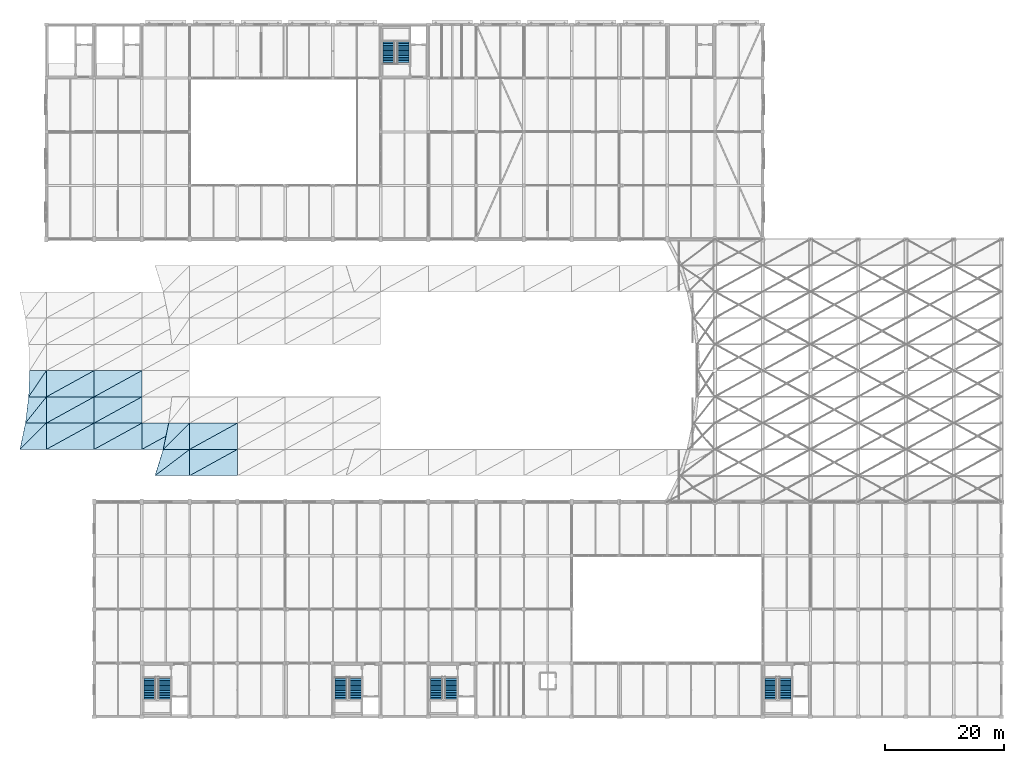
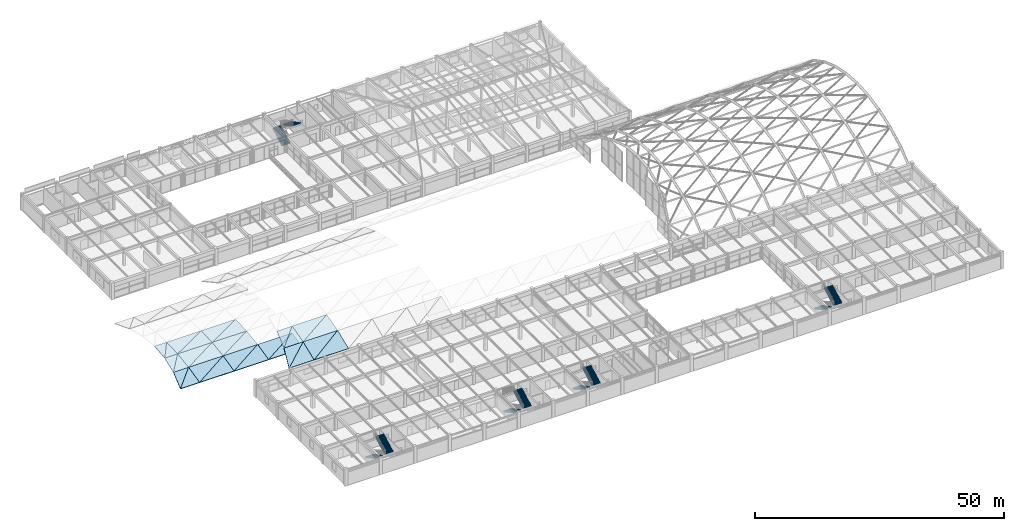
# One storey, part 104 of 126: 28 roofs, 10 stair flights, 5 elements without a shape of their own.
"""IFC4 building model written with IfcOpenShell, lengths in metres."""

from ifc_helpers import new_model, si_unit, direction, frame, origin, place, context, subcontext, project, spatial, polyline, outline, extrude, material, layer, layer_set, type_object, element, aggregate, save


model = new_model("IFC4")

# Units and contexts
model_context = context("Model", 3, precision=1e-05, world=origin(), true_north=direction((0.0, 1.0)))
body_context = subcontext(model_context, "Body", "Model", "MODEL_VIEW")
ifc_project = project(units=[si_unit("LENGTHUNIT", "METRE"), si_unit("AREAUNIT", "SQUARE_METRE"), si_unit("VOLUMEUNIT", "CUBIC_METRE"), si_unit("PLANEANGLEUNIT", "RADIAN"), si_unit("MASSUNIT", "GRAM", prefix="KILO")], contexts=[model_context])

# Site, building, storey
site_placement = place(None, origin())
site = spatial("IfcSite", under=ifc_project, at=site_placement, CompositionType="ELEMENT")
building_placement = place(site_placement, origin())
building = spatial("IfcBuilding", under=site, at=building_placement, Name="Varnabhumi Central Station", CompositionType="ELEMENT")
storey_placement = place(building_placement, frame((0.0, 0.0, 16.199951171875)))
storey = spatial("IfcBuildingStorey", under=building, at=storey_placement, Name="L03", CompositionType="ELEMENT", Elevation=16.199951171875)

# Stair, stair flights
ifc_material_1 = material(Name="Concrete M40", Category="concrete")
stair_type = type_object("IfcStairType", Name="STR-CORE-4200", PredefinedType="DOUBLE_RETURN_STAIR", material=ifc_material_1)
stair_1_placement = place(storey_placement, origin())
stair_1 = element("IfcStair", 1, at=stair_1_placement, inside=storey, type_object=stair_type, Name="Core Stair ST-N2 (L03)", PredefinedType="DOUBLE_RETURN_STAIR")
stair_flight_type = type_object("IfcStairFlightType", Name="FLT-CORE-1500", PredefinedType="STRAIGHT", material=ifc_material_1)
stair_flight_1_placement = place(storey_placement, frame((81.35009765625, 109.340087890625, 0.0), z_axis=(0.0, 0.0, 1.0), x_axis=(0.0, 1.0, 0.0)))
stair_flight_1 = element("IfcStairFlight", 2, at=stair_flight_1_placement, type_object=stair_flight_type, Name="ST-N2 L03 Lower Flight", NumberOfRisers=14, NumberOfTreads=13, PredefinedType="STRAIGHT", RiserHeight=0.15, TreadLength=0.285, context=body_context, shape_type="SweptSolid", body=[
    extrude(outline(polyline([(-0.06005859375, -0.080078125), (-0.06005859375, 0.0), (0.0, 0.0), (0.0, 0.14990234375), (0.284912109375, 0.14990234375), (0.284912109375, 0.300048828125), (0.570068359375, 0.300048828125), (0.570068359375, 0.449951171875), (0.85498046875, 0.449951171875), (0.85498046875, 0.60009765625), (1.139892578125, 0.60009765625), (1.139892578125, 0.75), (1.425048828125, 0.75), (1.425048828125, 0.89990234375), (1.7099609375, 0.89990234375), (1.7099609375, 1.050048828125), (1.9951171875, 1.050048828125), (1.9951171875, 1.199951171875), (2.280029296875, 1.199951171875), (2.280029296875, 1.35009765625), (2.56494140625, 1.35009765625), (2.56494140625, 1.5), (2.85009765625, 1.5), (2.85009765625, 1.64990234375), (3.135009765625, 1.64990234375), (3.135009765625, 1.800048828125), (3.419921875, 1.800048828125), (3.419921875, 1.949951171875), (3.705078125, 1.949951171875), (3.705078125, 2.10009765625), (3.764892578125, 2.10009765625), (3.764892578125, 1.940185546875), (3.705078125, 1.769287109375), (0.34326171875, -0.080078125), (-0.06005859375, -0.080078125)])), frame((0.0, 1.0, 0.0), z_axis=(0.0, -1.0, 0.0), x_axis=(1.0, 0.0, 0.0)), (0.0, 0.0, 1.0), 2.0),
])
stair_flight_2_placement = place(storey_placement, frame((83.75, 113.044921875, 2.10009765625), z_axis=(0.0, 0.0, 1.0), x_axis=(0.0, -1.0, 0.0)))
stair_flight_2 = element("IfcStairFlight", 3, at=stair_flight_2_placement, type_object=stair_flight_type, Name="ST-N2 L03 Upper Flight", NumberOfRisers=14, NumberOfTreads=13, PredefinedType="STRAIGHT", RiserHeight=0.15, TreadLength=0.285, context=body_context, shape_type="SweptSolid", body=[
    extrude(outline(polyline([(-0.06005859375, -0.080078125), (-0.06005859375, 0.0), (0.0, 0.0), (0.0, 0.14990234375), (0.284912109375, 0.14990234375), (0.284912109375, 0.300048828125), (0.570068359375, 0.300048828125), (0.570068359375, 0.449951171875), (0.85498046875, 0.449951171875), (0.85498046875, 0.60009765625), (1.139892578125, 0.60009765625), (1.139892578125, 0.75), (1.425048828125, 0.75), (1.425048828125, 0.89990234375), (1.7099609375, 0.89990234375), (1.7099609375, 1.050048828125), (1.9951171875, 1.050048828125), (1.9951171875, 1.199951171875), (2.280029296875, 1.199951171875), (2.280029296875, 1.35009765625), (2.56494140625, 1.35009765625), (2.56494140625, 1.5), (2.85009765625, 1.5), (2.85009765625, 1.64990234375), (3.135009765625, 1.64990234375), (3.135009765625, 1.800048828125), (3.419921875, 1.800048828125), (3.419921875, 1.949951171875), (3.705078125, 1.949951171875), (3.705078125, 2.10009765625), (3.764892578125, 2.10009765625), (3.764892578125, 1.940185546875), (3.705078125, 1.769287109375), (0.34326171875, -0.080078125), (-0.06005859375, -0.080078125)])), frame((0.0, 1.0, 0.0), z_axis=(0.0, -1.0, 0.0), x_axis=(1.0, 0.0, 0.0)), (0.0, 0.0, 1.0), 2.0),
])
aggregate(stair_1, [stair_flight_1, stair_flight_2])

stair_2_placement = place(storey_placement, origin())
stair_2 = element("IfcStair", 4, at=stair_2_placement, inside=storey, type_object=stair_type, Name="Core Stair ST-S1 (L03)", PredefinedType="DOUBLE_RETURN_STAIR")
stair_flight_3_placement = place(storey_placement, frame((41.35009765625, 6.659912109375, 0.0), z_axis=(0.0, 0.0, 1.0), x_axis=(0.0, -1.0, 0.0)))
stair_flight_3 = element("IfcStairFlight", 5, at=stair_flight_3_placement, type_object=stair_flight_type, Name="ST-S1 L03 Lower Flight", NumberOfRisers=14, NumberOfTreads=13, PredefinedType="STRAIGHT", RiserHeight=0.15, TreadLength=0.285, context=body_context, shape_type="SweptSolid", body=[
    extrude(outline(polyline([(-0.06005859375, -0.080078125), (-0.06005859375, 0.0), (0.0, 0.0), (0.0, 0.14990234375), (0.284912109375, 0.14990234375), (0.284912109375, 0.300048828125), (0.570068359375, 0.300048828125), (0.570068359375, 0.449951171875), (0.85498046875, 0.449951171875), (0.85498046875, 0.60009765625), (1.139892578125, 0.60009765625), (1.139892578125, 0.75), (1.425048828125, 0.75), (1.425048828125, 0.89990234375), (1.7099609375, 0.89990234375), (1.7099609375, 1.050048828125), (1.9951171875, 1.050048828125), (1.9951171875, 1.199951171875), (2.280029296875, 1.199951171875), (2.280029296875, 1.35009765625), (2.56494140625, 1.35009765625), (2.56494140625, 1.5), (2.85009765625, 1.5), (2.85009765625, 1.64990234375), (3.135009765625, 1.64990234375), (3.135009765625, 1.800048828125), (3.419921875, 1.800048828125), (3.419921875, 1.949951171875), (3.705078125, 1.949951171875), (3.705078125, 2.10009765625), (3.764892578125, 2.10009765625), (3.764892578125, 1.940185546875), (3.705078125, 1.769287109375), (0.34326171875, -0.080078125), (-0.06005859375, -0.080078125)])), frame((0.0, 1.0, 0.0), z_axis=(0.0, -1.0, 0.0), x_axis=(1.0, 0.0, 0.0)), (0.0, 0.0, 1.0), 2.0),
])
stair_flight_4_placement = place(storey_placement, frame((43.75, 2.955078125, 2.10009765625), z_axis=(0.0, 0.0, 1.0), x_axis=(0.0, 1.0, 0.0)))
stair_flight_4 = element("IfcStairFlight", 6, at=stair_flight_4_placement, type_object=stair_flight_type, Name="ST-S1 L03 Upper Flight", NumberOfRisers=14, NumberOfTreads=13, PredefinedType="STRAIGHT", RiserHeight=0.15, TreadLength=0.285, context=body_context, shape_type="SweptSolid", body=[
    extrude(outline(polyline([(-0.06005859375, -0.080078125), (-0.06005859375, 0.0), (0.0, 0.0), (0.0, 0.14990234375), (0.284912109375, 0.14990234375), (0.284912109375, 0.300048828125), (0.570068359375, 0.300048828125), (0.570068359375, 0.449951171875), (0.85498046875, 0.449951171875), (0.85498046875, 0.60009765625), (1.139892578125, 0.60009765625), (1.139892578125, 0.75), (1.425048828125, 0.75), (1.425048828125, 0.89990234375), (1.7099609375, 0.89990234375), (1.7099609375, 1.050048828125), (1.9951171875, 1.050048828125), (1.9951171875, 1.199951171875), (2.280029296875, 1.199951171875), (2.280029296875, 1.35009765625), (2.56494140625, 1.35009765625), (2.56494140625, 1.5), (2.85009765625, 1.5), (2.85009765625, 1.64990234375), (3.135009765625, 1.64990234375), (3.135009765625, 1.800048828125), (3.419921875, 1.800048828125), (3.419921875, 1.949951171875), (3.705078125, 1.949951171875), (3.705078125, 2.10009765625), (3.764892578125, 2.10009765625), (3.764892578125, 1.940185546875), (3.705078125, 1.769287109375), (0.34326171875, -0.080078125), (-0.06005859375, -0.080078125)])), frame((0.0, 1.0, 0.0), z_axis=(0.0, -1.0, 0.0), x_axis=(1.0, 0.0, 0.0)), (0.0, 0.0, 1.0), 2.0),
])
aggregate(stair_2, [stair_flight_3, stair_flight_4])

stair_3_placement = place(storey_placement, origin())
stair_3 = element("IfcStair", 7, at=stair_3_placement, inside=storey, type_object=stair_type, Name="Core Stair ST-S2 (L03)", PredefinedType="DOUBLE_RETURN_STAIR")
stair_flight_5_placement = place(storey_placement, frame((89.35009765625, 6.659912109375, 0.0), z_axis=(0.0, 0.0, 1.0), x_axis=(0.0, -1.0, 0.0)))
stair_flight_5 = element("IfcStairFlight", 8, at=stair_flight_5_placement, type_object=stair_flight_type, Name="ST-S2 L03 Lower Flight", NumberOfRisers=14, NumberOfTreads=13, PredefinedType="STRAIGHT", RiserHeight=0.15, TreadLength=0.285, context=body_context, shape_type="SweptSolid", body=[
    extrude(outline(polyline([(-0.06005859375, -0.080078125), (-0.06005859375, 0.0), (0.0, 0.0), (0.0, 0.14990234375), (0.284912109375, 0.14990234375), (0.284912109375, 0.300048828125), (0.570068359375, 0.300048828125), (0.570068359375, 0.449951171875), (0.85498046875, 0.449951171875), (0.85498046875, 0.60009765625), (1.139892578125, 0.60009765625), (1.139892578125, 0.75), (1.425048828125, 0.75), (1.425048828125, 0.89990234375), (1.7099609375, 0.89990234375), (1.7099609375, 1.050048828125), (1.9951171875, 1.050048828125), (1.9951171875, 1.199951171875), (2.280029296875, 1.199951171875), (2.280029296875, 1.35009765625), (2.56494140625, 1.35009765625), (2.56494140625, 1.5), (2.85009765625, 1.5), (2.85009765625, 1.64990234375), (3.135009765625, 1.64990234375), (3.135009765625, 1.800048828125), (3.419921875, 1.800048828125), (3.419921875, 1.949951171875), (3.705078125, 1.949951171875), (3.705078125, 2.10009765625), (3.764892578125, 2.10009765625), (3.764892578125, 1.940185546875), (3.705078125, 1.769287109375), (0.34326171875, -0.080078125), (-0.06005859375, -0.080078125)])), frame((0.0, 1.0, 0.0), z_axis=(0.0, -1.0, 0.0), x_axis=(1.0, 0.0, 0.0)), (0.0, 0.0, 1.0), 2.0),
])
stair_flight_6_placement = place(storey_placement, frame((91.75, 2.955078125, 2.10009765625), z_axis=(0.0, 0.0, 1.0), x_axis=(0.0, 1.0, 0.0)))
stair_flight_6 = element("IfcStairFlight", 9, at=stair_flight_6_placement, type_object=stair_flight_type, Name="ST-S2 L03 Upper Flight", NumberOfRisers=14, NumberOfTreads=13, PredefinedType="STRAIGHT", RiserHeight=0.15, TreadLength=0.285, context=body_context, shape_type="SweptSolid", body=[
    extrude(outline(polyline([(-0.06005859375, -0.080078125), (-0.06005859375, 0.0), (0.0, 0.0), (0.0, 0.14990234375), (0.284912109375, 0.14990234375), (0.284912109375, 0.300048828125), (0.570068359375, 0.300048828125), (0.570068359375, 0.449951171875), (0.85498046875, 0.449951171875), (0.85498046875, 0.60009765625), (1.139892578125, 0.60009765625), (1.139892578125, 0.75), (1.425048828125, 0.75), (1.425048828125, 0.89990234375), (1.7099609375, 0.89990234375), (1.7099609375, 1.050048828125), (1.9951171875, 1.050048828125), (1.9951171875, 1.199951171875), (2.280029296875, 1.199951171875), (2.280029296875, 1.35009765625), (2.56494140625, 1.35009765625), (2.56494140625, 1.5), (2.85009765625, 1.5), (2.85009765625, 1.64990234375), (3.135009765625, 1.64990234375), (3.135009765625, 1.800048828125), (3.419921875, 1.800048828125), (3.419921875, 1.949951171875), (3.705078125, 1.949951171875), (3.705078125, 2.10009765625), (3.764892578125, 2.10009765625), (3.764892578125, 1.940185546875), (3.705078125, 1.769287109375), (0.34326171875, -0.080078125), (-0.06005859375, -0.080078125)])), frame((0.0, 1.0, 0.0), z_axis=(0.0, -1.0, 0.0), x_axis=(1.0, 0.0, 0.0)), (0.0, 0.0, 1.0), 2.0),
])
aggregate(stair_3, [stair_flight_5, stair_flight_6])

stair_4_placement = place(storey_placement, origin())
stair_4 = element("IfcStair", 10, at=stair_4_placement, inside=storey, type_object=stair_type, Name="Core Stair ST-S3 (L03)", PredefinedType="DOUBLE_RETURN_STAIR")
stair_flight_7_placement = place(storey_placement, frame((145.35009765625, 6.659912109375, 0.0), z_axis=(0.0, 0.0, 1.0), x_axis=(0.0, -1.0, 0.0)))
stair_flight_7 = element("IfcStairFlight", 11, at=stair_flight_7_placement, type_object=stair_flight_type, Name="ST-S3 L03 Lower Flight", NumberOfRisers=14, NumberOfTreads=13, PredefinedType="STRAIGHT", RiserHeight=0.15, TreadLength=0.285, context=body_context, shape_type="SweptSolid", body=[
    extrude(outline(polyline([(-0.06005859375, -0.080078125), (-0.06005859375, 0.0), (0.0, 0.0), (0.0, 0.14990234375), (0.284912109375, 0.14990234375), (0.284912109375, 0.300048828125), (0.570068359375, 0.300048828125), (0.570068359375, 0.449951171875), (0.85498046875, 0.449951171875), (0.85498046875, 0.60009765625), (1.139892578125, 0.60009765625), (1.139892578125, 0.75), (1.425048828125, 0.75), (1.425048828125, 0.89990234375), (1.7099609375, 0.89990234375), (1.7099609375, 1.050048828125), (1.9951171875, 1.050048828125), (1.9951171875, 1.199951171875), (2.280029296875, 1.199951171875), (2.280029296875, 1.35009765625), (2.56494140625, 1.35009765625), (2.56494140625, 1.5), (2.85009765625, 1.5), (2.85009765625, 1.64990234375), (3.135009765625, 1.64990234375), (3.135009765625, 1.800048828125), (3.419921875, 1.800048828125), (3.419921875, 1.949951171875), (3.705078125, 1.949951171875), (3.705078125, 2.10009765625), (3.764892578125, 2.10009765625), (3.764892578125, 1.940185546875), (3.705078125, 1.769287109375), (0.34326171875, -0.080078125), (-0.06005859375, -0.080078125)])), frame((0.0, 1.0, 0.0), z_axis=(0.0, -1.0, 0.0), x_axis=(1.0, 0.0, 0.0)), (0.0, 0.0, 1.0), 2.0),
])
stair_flight_8_placement = place(storey_placement, frame((147.75, 2.955078125, 2.10009765625), z_axis=(0.0, 0.0, 1.0), x_axis=(0.0, 1.0, 0.0)))
stair_flight_8 = element("IfcStairFlight", 12, at=stair_flight_8_placement, type_object=stair_flight_type, Name="ST-S3 L03 Upper Flight", NumberOfRisers=14, NumberOfTreads=13, PredefinedType="STRAIGHT", RiserHeight=0.15, TreadLength=0.285, context=body_context, shape_type="SweptSolid", body=[
    extrude(outline(polyline([(-0.06005859375, -0.080078125), (-0.06005859375, 0.0), (0.0, 0.0), (0.0, 0.14990234375), (0.284912109375, 0.14990234375), (0.284912109375, 0.300048828125), (0.570068359375, 0.300048828125), (0.570068359375, 0.449951171875), (0.85498046875, 0.449951171875), (0.85498046875, 0.60009765625), (1.139892578125, 0.60009765625), (1.139892578125, 0.75), (1.425048828125, 0.75), (1.425048828125, 0.89990234375), (1.7099609375, 0.89990234375), (1.7099609375, 1.050048828125), (1.9951171875, 1.050048828125), (1.9951171875, 1.199951171875), (2.280029296875, 1.199951171875), (2.280029296875, 1.35009765625), (2.56494140625, 1.35009765625), (2.56494140625, 1.5), (2.85009765625, 1.5), (2.85009765625, 1.64990234375), (3.135009765625, 1.64990234375), (3.135009765625, 1.800048828125), (3.419921875, 1.800048828125), (3.419921875, 1.949951171875), (3.705078125, 1.949951171875), (3.705078125, 2.10009765625), (3.764892578125, 2.10009765625), (3.764892578125, 1.940185546875), (3.705078125, 1.769287109375), (0.34326171875, -0.080078125), (-0.06005859375, -0.080078125)])), frame((0.0, 1.0, 0.0), z_axis=(0.0, -1.0, 0.0), x_axis=(1.0, 0.0, 0.0)), (0.0, 0.0, 1.0), 2.0),
])
aggregate(stair_4, [stair_flight_7, stair_flight_8])

stair_5_placement = place(storey_placement, origin())
stair_5 = element("IfcStair", 13, at=stair_5_placement, inside=storey, type_object=stair_type, Name="Core Stair ST-S4 (L03)", PredefinedType="DOUBLE_RETURN_STAIR")
stair_flight_9_placement = place(storey_placement, frame((73.35009765625, 6.659912109375, 0.0), z_axis=(0.0, 0.0, 1.0), x_axis=(0.0, -1.0, 0.0)))
stair_flight_9 = element("IfcStairFlight", 14, at=stair_flight_9_placement, type_object=stair_flight_type, Name="ST-S4 L03 Lower Flight", NumberOfRisers=14, NumberOfTreads=13, PredefinedType="STRAIGHT", RiserHeight=0.15, TreadLength=0.285, context=body_context, shape_type="SweptSolid", body=[
    extrude(outline(polyline([(-0.06005859375, -0.080078125), (-0.06005859375, 0.0), (0.0, 0.0), (0.0, 0.14990234375), (0.284912109375, 0.14990234375), (0.284912109375, 0.300048828125), (0.570068359375, 0.300048828125), (0.570068359375, 0.449951171875), (0.85498046875, 0.449951171875), (0.85498046875, 0.60009765625), (1.139892578125, 0.60009765625), (1.139892578125, 0.75), (1.425048828125, 0.75), (1.425048828125, 0.89990234375), (1.7099609375, 0.89990234375), (1.7099609375, 1.050048828125), (1.9951171875, 1.050048828125), (1.9951171875, 1.199951171875), (2.280029296875, 1.199951171875), (2.280029296875, 1.35009765625), (2.56494140625, 1.35009765625), (2.56494140625, 1.5), (2.85009765625, 1.5), (2.85009765625, 1.64990234375), (3.135009765625, 1.64990234375), (3.135009765625, 1.800048828125), (3.419921875, 1.800048828125), (3.419921875, 1.949951171875), (3.705078125, 1.949951171875), (3.705078125, 2.10009765625), (3.764892578125, 2.10009765625), (3.764892578125, 1.940185546875), (3.705078125, 1.769287109375), (0.34326171875, -0.080078125), (-0.06005859375, -0.080078125)])), frame((0.0, 1.0, 0.0), z_axis=(0.0, -1.0, 0.0), x_axis=(1.0, 0.0, 0.0)), (0.0, 0.0, 1.0), 2.0),
])
stair_flight_10_placement = place(storey_placement, frame((75.75, 2.955078125, 2.10009765625), z_axis=(0.0, 0.0, 1.0), x_axis=(0.0, 1.0, 0.0)))
stair_flight_10 = element("IfcStairFlight", 15, at=stair_flight_10_placement, type_object=stair_flight_type, Name="ST-S4 L03 Upper Flight", NumberOfRisers=14, NumberOfTreads=13, PredefinedType="STRAIGHT", RiserHeight=0.15, TreadLength=0.285, context=body_context, shape_type="SweptSolid", body=[
    extrude(outline(polyline([(-0.06005859375, -0.080078125), (-0.06005859375, 0.0), (0.0, 0.0), (0.0, 0.14990234375), (0.284912109375, 0.14990234375), (0.284912109375, 0.300048828125), (0.570068359375, 0.300048828125), (0.570068359375, 0.449951171875), (0.85498046875, 0.449951171875), (0.85498046875, 0.60009765625), (1.139892578125, 0.60009765625), (1.139892578125, 0.75), (1.425048828125, 0.75), (1.425048828125, 0.89990234375), (1.7099609375, 0.89990234375), (1.7099609375, 1.050048828125), (1.9951171875, 1.050048828125), (1.9951171875, 1.199951171875), (2.280029296875, 1.199951171875), (2.280029296875, 1.35009765625), (2.56494140625, 1.35009765625), (2.56494140625, 1.5), (2.85009765625, 1.5), (2.85009765625, 1.64990234375), (3.135009765625, 1.64990234375), (3.135009765625, 1.800048828125), (3.419921875, 1.800048828125), (3.419921875, 1.949951171875), (3.705078125, 1.949951171875), (3.705078125, 2.10009765625), (3.764892578125, 2.10009765625), (3.764892578125, 1.940185546875), (3.705078125, 1.769287109375), (0.34326171875, -0.080078125), (-0.06005859375, -0.080078125)])), frame((0.0, 1.0, 0.0), z_axis=(0.0, -1.0, 0.0), x_axis=(1.0, 0.0, 0.0)), (0.0, 0.0, 1.0), 2.0),
])
aggregate(stair_5, [stair_flight_9, stair_flight_10])

# Roofs
ifc_material_2 = material(Name="Champagne bronze diamond metal panel")
ifc_layer = layer(ifc_material_2, 0.159912109375, Name="Champagne bronze diamond metal panel")
ifc_layer_set = layer_set([ifc_layer], Name="Champagne bronze diamond metal panel")
roof_type = type_object("IfcRoofType", Name="ROOF-VAULT-BARREL", PredefinedType="BARREL_ROOF", material=ifc_layer_set)
roof_1_placement = place(storey_placement, frame((19.577392578125, 44.800048828125, 0.879150390625), z_axis=(0.0, -0.2331035559, 0.972451917694), x_axis=(1.0, 0.0, 0.0)))
element("IfcRoof", 16, at=roof_1_placement, inside=storey, type_object=roof_type, Name="Entrance Portico Vault Diamond Shell Panel 1-3A", PredefinedType="BARREL_ROOF", context=body_context, shape_type="SweptSolid", body=[
    extrude(outline(polyline([(0.0, 0.0), (4.422607421875, 0.0), (4.422607421875, 4.524544878459379), (0.0, 0.0)])), origin(), (0.0, 0.0, -1.0), 0.159912109375),
])
roof_2_placement = place(storey_placement, frame((19.577392578125, 44.800048828125, 0.879150390625), z_axis=(0.0, -0.2331035559, 0.972451917694), x_axis=(0.699005145676, 0.695416546253, 0.166696231262)))
element("IfcRoof", 17, at=roof_2_placement, inside=storey, type_object=roof_type, Name="Entrance Portico Vault Diamond Shell Panel 1-3B", PredefinedType="BARREL_ROOF", context=body_context, shape_type="SweptSolid", body=[
    extrude(outline(polyline([(0.0, 0.0), (6.327002668342795, 2.7755575615628914e-17), (3.8745117141180976, 2.5090188497221164), (0.0, 0.0)])), origin(), (0.0, 0.0, -1.0), 0.159912109375),
])
roof_3_placement = place(storey_placement, frame((20.491455078125, 49.199951171875, 1.930908203125), z_axis=(0.0, -0.138420407303, 0.99037356126), x_axis=(1.0, 0.0, 0.0)))
element("IfcRoof", 18, at=roof_3_placement, inside=storey, type_object=roof_type, Name="Entrance Portico Vault Diamond Shell Panel 1-4A", PredefinedType="BARREL_ROOF", context=body_context, shape_type="SweptSolid", body=[
    extrude(outline(polyline([(0.0, 0.0), (3.508544921875, 0.0), (3.508544921875, 4.442915942524041), (0.0, 0.0)])), origin(), (0.0, 0.0, -1.0), 0.159912109375),
])
roof_4_placement = place(storey_placement, frame((20.491455078125, 49.199951171875, 1.930908203125), z_axis=(0.0, -0.138420407303, 0.99037356126), x_axis=(0.619750892049, 0.777243777566, 0.108632140914)))
element("IfcRoof", 19, at=roof_4_placement, inside=storey, type_object=roof_type, Name="Entrance Portico Vault Diamond Shell Panel 1-4B", PredefinedType="BARREL_ROOF", context=body_context, shape_type="SweptSolid", body=[
    extrude(outline(polyline([(0.0, 0.0), (5.661218026286318, 1.457167719820518e-16), (3.8170959871521393, 2.335235657535949), (0.0, 0.0)])), origin(), (0.0, 0.0, -1.0), 0.159912109375),
])
roof_5_placement = place(storey_placement, frame((21.0244140625, 53.60009765625, 2.54443359375), z_axis=(0.0, -0.046006057233, 0.998941160779), x_axis=(1.0, 0.0, 0.0)))
element("IfcRoof", 20, at=roof_5_placement, inside=storey, type_object=roof_type, Name="Entrance Portico Vault Diamond Shell Panel 1-5A", PredefinedType="BARREL_ROOF", context=body_context, shape_type="SweptSolid", body=[
    extrude(outline(polyline([(0.0, 0.0), (2.9755859375, 0.0), (2.9755859375, 4.4045660710588175), (0.0, 0.0)])), origin(), (0.0, 0.0, -1.0), 0.159912109375),
])
roof_6_placement = place(storey_placement, frame((21.0244140625, 53.60009765625, 2.54443359375), z_axis=(0.0, -0.046006057233, 0.998941160779), x_axis=(0.559796416898, 0.827752791708, 0.038122007386)))
element("IfcRoof", 21, at=roof_6_placement, inside=storey, type_object=roof_type, Name="Entrance Portico Vault Diamond Shell Panel 1-5B", PredefinedType="BARREL_ROOF", context=body_context, shape_type="SweptSolid", body=[
    extrude(outline(polyline([(0.0, 0.0), (5.315478712756761, -3.0704605524789486e-16), (3.748021411632324, 2.320204958411192), (0.0, 0.0)])), origin(), (0.0, 0.0, -1.0), 0.159912109375),
])
roof_7_placement = place(storey_placement, frame((24.0, 44.800048828125, 0.879150390625), z_axis=(0.0, -0.2331035559, 0.972451917694), x_axis=(1.0, 0.0, 0.0)))
element("IfcRoof", 22, at=roof_7_placement, inside=storey, type_object=roof_type, Name="Entrance Portico Vault Diamond Shell Panel 2-3A", PredefinedType="BARREL_ROOF", context=body_context, shape_type="SweptSolid", body=[
    extrude(outline(polyline([(0.0, 0.0), (8.0, 0.0), (8.0, 4.524544878459379), (0.0, 0.0)])), origin(), (0.0, 0.0, -1.0), 0.159912109375),
])
roof_8_placement = place(storey_placement, frame((24.0, 44.800048828125, 0.879150390625), z_axis=(0.0, -0.2331035559, 0.972451917694), x_axis=(0.870432037619, 0.478726995299, 0.114754223709)))
element("IfcRoof", 23, at=roof_8_placement, inside=storey, type_object=roof_type, Name="Entrance Portico Vault Diamond Shell Panel 2-3B", PredefinedType="BARREL_ROOF", context=body_context, shape_type="SweptSolid", body=[
    extrude(outline(polyline([(0.0, 0.0), (9.190838174899664, -4.718447854656915e-16), (2.2273818739515, 3.9383088178538386), (0.0, 0.0)])), origin(), (0.0, 0.0, -1.0), 0.159912109375),
])
roof_9_placement = place(storey_placement, frame((24.0, 49.199951171875, 1.930908203125), z_axis=(0.0, -0.138420407303, 0.99037356126), x_axis=(1.0, 0.0, 0.0)))
element("IfcRoof", 24, at=roof_9_placement, inside=storey, type_object=roof_type, Name="Entrance Portico Vault Diamond Shell Panel 2-4A", PredefinedType="BARREL_ROOF", context=body_context, shape_type="SweptSolid", body=[
    extrude(outline(polyline([(0.0, 0.0), (8.0, 0.0), (8.0, 4.442915942524041), (0.0, 0.0)])), origin(), (0.0, 0.0, -1.0), 0.159912109375),
])
roof_10_placement = place(storey_placement, frame((24.0, 49.199951171875, 1.930908203125), z_axis=(0.0, -0.138420407303, 0.99037356126), x_axis=(0.874228176797, 0.480841504835, 0.067205223918)))
element("IfcRoof", 25, at=roof_10_placement, inside=storey, type_object=roof_type, Name="Entrance Portico Vault Diamond Shell Panel 2-4B", PredefinedType="BARREL_ROOF", context=body_context, shape_type="SweptSolid", body=[
    extrude(outline(polyline([(0.0, 0.0), (9.15092902782741, -1.8041124150158794e-16), (2.157103613448174, 3.8841223040969144), (0.0, 0.0)])), origin(), (0.0, 0.0, -1.0), 0.159912109375),
])
roof_11_placement = place(storey_placement, frame((24.0, 53.60009765625, 2.54443359375), z_axis=(0.0, -0.046006057233, 0.998941160779), x_axis=(1.0, 0.0, 0.0)))
element("IfcRoof", 26, at=roof_11_placement, inside=storey, type_object=roof_type, Name="Entrance Portico Vault Diamond Shell Panel 2-5A", PredefinedType="BARREL_ROOF", context=body_context, shape_type="SweptSolid", body=[
    extrude(outline(polyline([(0.0, 0.0), (8.0, 0.0), (8.0, 4.404566071058818), (0.0, 0.0)])), origin(), (0.0, 0.0, -1.0), 0.159912109375),
])
roof_12_placement = place(storey_placement, frame((24.0, 53.60009765625, 2.54443359375), z_axis=(0.0, -0.046006057233, 0.998941160779), x_axis=(0.876004697448, 0.48179189018, 0.022188839688)))
element("IfcRoof", 27, at=roof_12_placement, inside=storey, type_object=roof_type, Name="Entrance Portico Vault Diamond Shell Panel 2-5B", PredefinedType="BARREL_ROOF", context=body_context, shape_type="SweptSolid", body=[
    extrude(outline(polyline([(0.0, 0.0), (9.132371120049957, 2.2551405187698492e-17), (2.124333540467898, 3.8584205684665376), (0.0, 0.0)])), origin(), (0.0, 0.0, -1.0), 0.159912109375),
])
roof_13_placement = place(storey_placement, frame((32.0, 44.800048828125, 0.879150390625), z_axis=(0.0, -0.2331035559, 0.972451917694), x_axis=(1.0, 0.0, 0.0)))
element("IfcRoof", 28, at=roof_13_placement, inside=storey, type_object=roof_type, Name="Entrance Portico Vault Diamond Shell Panel 3-3A", PredefinedType="BARREL_ROOF", context=body_context, shape_type="SweptSolid", body=[
    extrude(outline(polyline([(0.0, 0.0), (8.0, 0.0), (8.0, 4.524544878459379), (0.0, 0.0)])), origin(), (0.0, 0.0, -1.0), 0.159912109375),
])
roof_14_placement = place(storey_placement, frame((32.0, 44.800048828125, 0.879150390625), z_axis=(0.0, -0.2331035559, 0.972451917694), x_axis=(0.870432037619, 0.478726995299, 0.114754223709)))
element("IfcRoof", 29, at=roof_14_placement, inside=storey, type_object=roof_type, Name="Entrance Portico Vault Diamond Shell Panel 3-3B", PredefinedType="BARREL_ROOF", context=body_context, shape_type="SweptSolid", body=[
    extrude(outline(polyline([(0.0, 0.0), (9.190838174899664, -4.718447854656915e-16), (2.2273818739515, 3.9383088178538386), (0.0, 0.0)])), origin(), (0.0, 0.0, -1.0), 0.159912109375),
])
roof_15_placement = place(storey_placement, frame((32.0, 49.199951171875, 1.930908203125), z_axis=(0.0, -0.138420407303, 0.99037356126), x_axis=(1.0, 0.0, 0.0)))
element("IfcRoof", 30, at=roof_15_placement, inside=storey, type_object=roof_type, Name="Entrance Portico Vault Diamond Shell Panel 3-4A", PredefinedType="BARREL_ROOF", context=body_context, shape_type="SweptSolid", body=[
    extrude(outline(polyline([(0.0, 0.0), (8.0, 0.0), (8.0, 4.442915942524041), (0.0, 0.0)])), origin(), (0.0, 0.0, -1.0), 0.159912109375),
])
roof_16_placement = place(storey_placement, frame((32.0, 49.199951171875, 1.930908203125), z_axis=(0.0, -0.138420407303, 0.99037356126), x_axis=(0.874228176797, 0.480841504835, 0.067205223918)))
element("IfcRoof", 31, at=roof_16_placement, inside=storey, type_object=roof_type, Name="Entrance Portico Vault Diamond Shell Panel 3-4B", PredefinedType="BARREL_ROOF", context=body_context, shape_type="SweptSolid", body=[
    extrude(outline(polyline([(0.0, 0.0), (9.15092902782741, -1.8041124150158794e-16), (2.157103613448174, 3.8841223040969144), (0.0, 0.0)])), origin(), (0.0, 0.0, -1.0), 0.159912109375),
])
roof_17_placement = place(storey_placement, frame((32.0, 53.60009765625, 2.54443359375), z_axis=(0.0, -0.046006057233, 0.998941160779), x_axis=(1.0, 0.0, 0.0)))
element("IfcRoof", 32, at=roof_17_placement, inside=storey, type_object=roof_type, Name="Entrance Portico Vault Diamond Shell Panel 3-5A", PredefinedType="BARREL_ROOF", context=body_context, shape_type="SweptSolid", body=[
    extrude(outline(polyline([(0.0, 0.0), (8.0, 0.0), (8.0, 4.404566071058818), (0.0, 0.0)])), origin(), (0.0, 0.0, -1.0), 0.159912109375),
])
roof_18_placement = place(storey_placement, frame((32.0, 53.60009765625, 2.54443359375), z_axis=(0.0, -0.046006057233, 0.998941160779), x_axis=(0.876004697448, 0.48179189018, 0.022188839688)))
element("IfcRoof", 33, at=roof_18_placement, inside=storey, type_object=roof_type, Name="Entrance Portico Vault Diamond Shell Panel 3-5B", PredefinedType="BARREL_ROOF", context=body_context, shape_type="SweptSolid", body=[
    extrude(outline(polyline([(0.0, 0.0), (9.132371120049957, 2.2551405187698492e-17), (2.124333540467898, 3.8584205684665376), (0.0, 0.0)])), origin(), (0.0, 0.0, -1.0), 0.159912109375),
])
roof_19_placement = place(storey_placement, frame((40.0, 44.800048828125, 0.879150390625), z_axis=(0.0, -0.2331035559, 0.972451917694), x_axis=(1.0, 0.0, 0.0)))
element("IfcRoof", 34, at=roof_19_placement, inside=storey, type_object=roof_type, Name="Entrance Portico Vault Diamond Shell Panel 4-3A", PredefinedType="BARREL_ROOF", context=body_context, shape_type="SweptSolid", body=[
    extrude(outline(polyline([(0.0, 0.0), (8.0, 0.0), (8.0, 4.524544878459379), (0.0, 0.0)])), origin(), (0.0, 0.0, -1.0), 0.159912109375),
])
roof_20_placement = place(storey_placement, frame((40.0, 44.800048828125, 0.879150390625), z_axis=(0.0, -0.2331035559, 0.972451917694), x_axis=(0.870432037619, 0.478726995299, 0.114754223709)))
element("IfcRoof", 35, at=roof_20_placement, inside=storey, type_object=roof_type, Name="Entrance Portico Vault Diamond Shell Panel 4-3B", PredefinedType="BARREL_ROOF", context=body_context, shape_type="SweptSolid", body=[
    extrude(outline(polyline([(0.0, 0.0), (9.190838174899664, -4.718447854656915e-16), (2.2273818739515, 3.9383088178538386), (0.0, 0.0)])), origin(), (0.0, 0.0, -1.0), 0.159912109375),
])
roof_21_placement = place(storey_placement, frame((42.2138671875, 40.39990234375, 0.6552734375), z_axis=(0.0, -0.37554515505, 0.926804098242), x_axis=(1.0, 0.0, 0.0)))
element("IfcRoof", 36, at=roof_21_placement, inside=storey, type_object=roof_type, Name="Ticket Hall Vault Diamond Shell Panel 1-2A", PredefinedType="BARREL_ROOF", context=body_context, shape_type="SweptSolid", body=[
    extrude(outline(polyline([(0.0, 0.0), (5.7861328125, 0.0), (5.7861328125, 4.747655402819502), (0.0, 0.0)])), origin(), (0.0, 0.0, -1.0), 0.159912109375),
])
roof_22_placement = place(storey_placement, frame((42.2138671875, 40.39990234375, 0.6552734375), z_axis=(0.0, -0.37554515505, 0.926804098242), x_axis=(0.773069488627, 0.58789161998, 0.238216306981)))
element("IfcRoof", 37, at=roof_22_placement, inside=storey, type_object=roof_type, Name="Ticket Hall Vault Diamond Shell Panel 1-2B", PredefinedType="BARREL_ROOF", context=body_context, shape_type="SweptSolid", body=[
    extrude(outline(polyline([(0.0, 0.0), (7.484621884090763, 3.3306690738754696e-16), (4.065639026064177, 2.805354277902203), (0.0, 0.0)])), origin(), (0.0, 0.0, -1.0), 0.159912109375),
])
roof_23_placement = place(storey_placement, frame((43.577392578125, 44.800048828125, 2.431396484375), z_axis=(0.0, -0.262165789998, 0.965022848722), x_axis=(1.0, 0.0, 0.0)))
element("IfcRoof", 38, at=roof_23_placement, inside=storey, type_object=roof_type, Name="Ticket Hall Vault Diamond Shell Panel 1-3A", PredefinedType="BARREL_ROOF", context=body_context, shape_type="SweptSolid", body=[
    extrude(outline(polyline([(0.0, 0.0), (4.422607421875, 0.0), (4.422607421875, 4.559376339719392), (0.0, 0.0)])), origin(), (0.0, 0.0, -1.0), 0.159912109375),
])
roof_24_placement = place(storey_placement, frame((43.577392578125, 44.800048828125, 2.431396484375), z_axis=(0.0, -0.262165789998, 0.965022848722), x_axis=(0.696258933013, 0.69268443228, 0.188180167598)))
element("IfcRoof", 39, at=roof_24_placement, inside=storey, type_object=roof_type, Name="Ticket Hall Vault Diamond Shell Panel 1-3B", PredefinedType="BARREL_ROOF", context=body_context, shape_type="SweptSolid", body=[
    extrude(outline(polyline([(0.0, 0.0), (6.351957888337802, -1.3877787807814457e-16), (3.9091021446063636, 2.5184009379233427), (0.0, 0.0)])), origin(), (0.0, 0.0, -1.0), 0.159912109375),
])
roof_25_placement = place(storey_placement, frame((48.0, 40.39990234375, 0.6552734375), z_axis=(0.0, -0.37554515505, 0.926804098242), x_axis=(1.0, 0.0, 0.0)))
element("IfcRoof", 40, at=roof_25_placement, inside=storey, type_object=roof_type, Name="Ticket Hall Vault Diamond Shell Panel 2-2A", PredefinedType="BARREL_ROOF", context=body_context, shape_type="SweptSolid", body=[
    extrude(outline(polyline([(0.0, 0.0), (8.0, 0.0), (8.0, 4.747655402819502), (0.0, 0.0)])), origin(), (0.0, 0.0, -1.0), 0.159912109375),
])
roof_26_placement = place(storey_placement, frame((48.0, 40.39990234375, 0.6552734375), z_axis=(0.0, -0.37554515505, 0.926804098242), x_axis=(0.859965363866, 0.472996696562, 0.19166037147)))
element("IfcRoof", 41, at=roof_26_placement, inside=storey, type_object=roof_type, Name="Ticket Hall Vault Diamond Shell Panel 2-2B", PredefinedType="BARREL_ROOF", context=body_context, shape_type="SweptSolid", body=[
    extrude(outline(polyline([(0.0, 0.0), (9.302700243688454, -3.3306690738754696e-16), (2.4229773327603397, 4.082819205996122), (0.0, 0.0)])), origin(), (0.0, 0.0, -1.0), 0.159912109375),
])
roof_27_placement = place(storey_placement, frame((48.0, 44.800048828125, 2.431396484375), z_axis=(0.0, -0.262165789998, 0.965022848722), x_axis=(1.0, 0.0, 0.0)))
element("IfcRoof", 42, at=roof_27_placement, inside=storey, type_object=roof_type, Name="Ticket Hall Vault Diamond Shell Panel 2-3A", PredefinedType="BARREL_ROOF", context=body_context, shape_type="SweptSolid", body=[
    extrude(outline(polyline([(0.0, 0.0), (8.0, 0.0), (8.0, 4.559376339719391), (0.0, 0.0)])), origin(), (0.0, 0.0, -1.0), 0.159912109375),
])
roof_28_placement = place(storey_placement, frame((48.0, 44.800048828125, 2.431396484375), z_axis=(0.0, -0.262165789998, 0.965022848722), x_axis=(0.86880640757, 0.477832918616, 0.129811894881)))
element("IfcRoof", 43, at=roof_28_placement, inside=storey, type_object=roof_type, Name="Ticket Hall Vault Diamond Shell Panel 2-3B", PredefinedType="BARREL_ROOF", context=body_context, shape_type="SweptSolid", body=[
    extrude(outline(polyline([(0.0, 0.0), (9.208035219697686, 4.996003610813204e-16), (2.2575839591407965, 3.961215378469487), (0.0, 0.0)])), origin(), (0.0, 0.0, -1.0), 0.159912109375),
])

save(model, "model.ifc")
